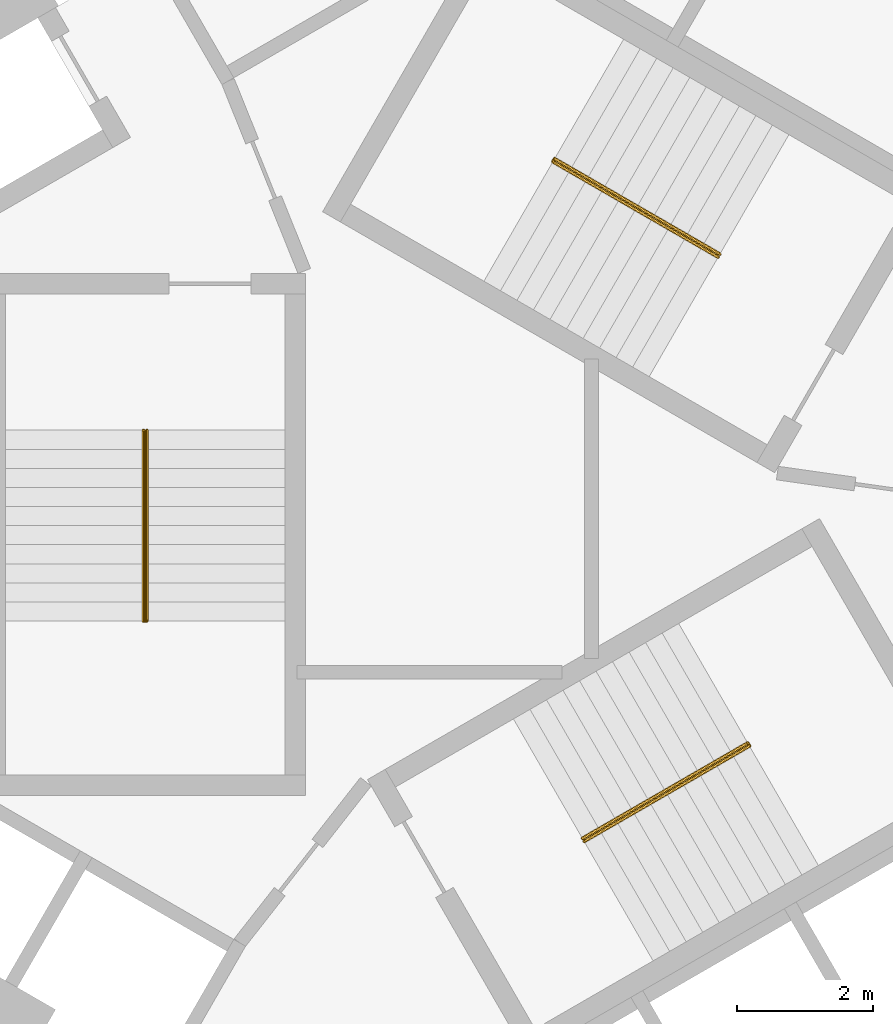
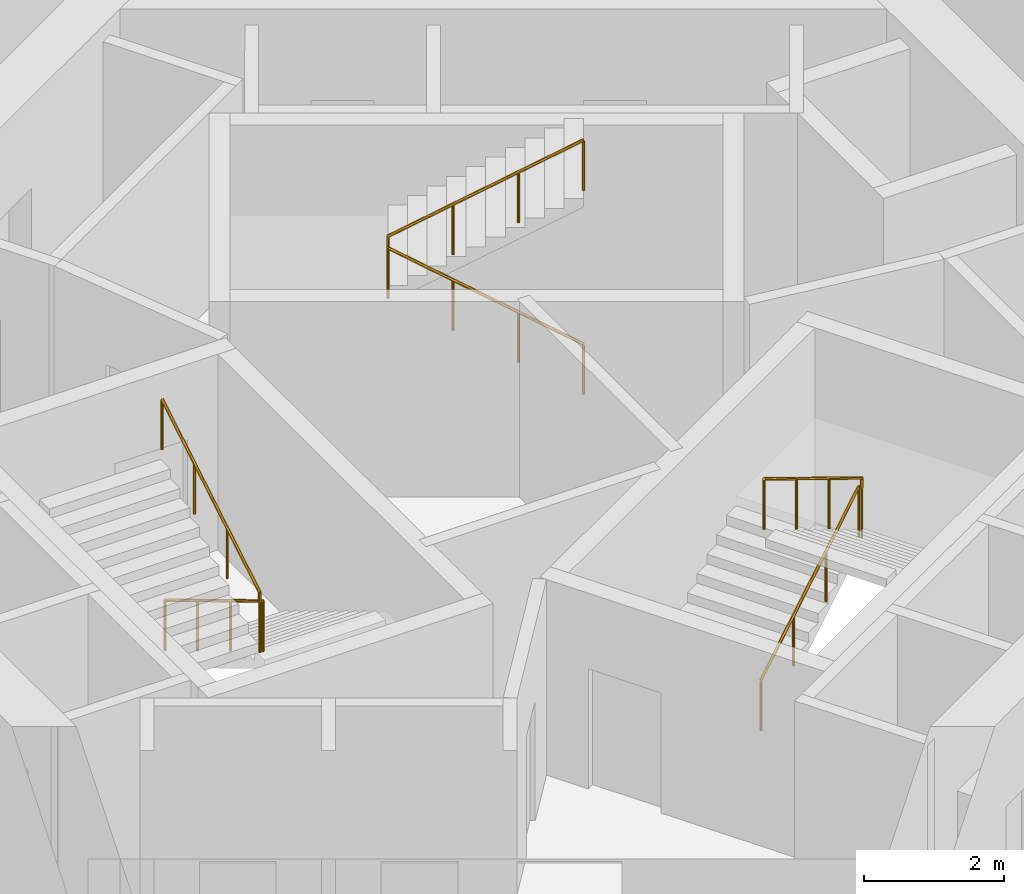
# One storey, part 11 of 11: 3 railings.
"""IFC4 building model written with IfcOpenShell, lengths in metres."""

import ifcopenshell
import ifcopenshell.guid

model = None  # the IFC model being written
_history = None  # IfcOwnerHistory: only IFC2X3 demands one
_inside = {}  # id of a spatial element -> (the spatial element, [elements in it])
_under = {}  # id of a project, library or spatial element -> (it, [spatial elements below it])
_declared = {}  # id of a project -> (the project, [libraries it declares])
_typed = {}  # id of a type object -> (the type object, [elements of that type])
_made_of = {}  # id of a material, layer set ... -> (it, [elements and type objects made of it])


def new_model(schema):
    """Start an empty IFC model of exactly this schema.

    Asked for "IFC4X3", IfcOpenShell would pick the latest addendum, in which some entities
    have other attributes; the version numbers below select the first issue.
    IFC2X3 requires an IfcOwnerHistory on every rooted entity: one is made here for all.
    """
    global model, _history
    if schema == "IFC4X3":
        model = ifcopenshell.file(schema_version=(4, 3, 0, 0))
    else:
        model = ifcopenshell.file(schema=schema)
    _inside.clear()
    _under.clear()
    _declared.clear()
    _typed.clear()
    _made_of.clear()
    _history = None
    if model.schema == "IFC2X3":
        org = make("IfcOrganization", Name="unknown")
        user = make(
            "IfcPersonAndOrganization",
            ThePerson=make("IfcPerson", FamilyName="unknown"),
            TheOrganization=org,
        )
        app = make(
            "IfcApplication",
            ApplicationDeveloper=org,
            Version="unknown",
            ApplicationFullName="unknown",
            ApplicationIdentifier="unknown",
        )
        _history = make(
            "IfcOwnerHistory",
            OwningUser=user,
            OwningApplication=app,
            ChangeAction="ADDED",
            CreationDate=0,
        )
    return model


def make(cls, **values):
    """One entity of the class cls with the attributes given. An attribute that is None is left unset."""
    return model.create_entity(
        cls, **{name: value for name, value in values.items() if value is not None}
    )


def rooted(cls, **values):
    """An entity with a GlobalId (a new one), such as an element, a storey or a relation."""
    return make(cls, GlobalId=ifcopenshell.guid.new(), OwnerHistory=_history, **values)


def si_unit(unit_type, name, prefix=None):
    """IfcSIUnit, for example si_unit("LENGTHUNIT", "METRE", prefix="MILLI")."""
    return make("IfcSIUnit", UnitType=unit_type, Prefix=prefix, Name=name)


def assignment(units):
    """IfcUnitAssignment: the units of a project."""
    return None if units is None else make("IfcUnitAssignment", Units=units)


def point(xyz):
    """IfcCartesianPoint."""
    return None if xyz is None else make("IfcCartesianPoint", Coordinates=xyz)


def direction(xyz):
    """IfcDirection."""
    return None if xyz is None else make("IfcDirection", DirectionRatios=xyz)


def frame(location, z_axis=None, x_axis=None):
    """IfcAxis2Placement3D, a coordinate frame: its origin and axes. An axis left out is left unset."""
    return make(
        "IfcAxis2Placement3D",
        Location=point(location),
        Axis=direction(z_axis),
        RefDirection=direction(x_axis),
    )


def frame_2d(location, x_axis=None):
    """IfcAxis2Placement2D, a coordinate frame in the plane: its origin and x axis."""
    return make(
        "IfcAxis2Placement2D", Location=point(location), RefDirection=direction(x_axis)
    )


def origin():
    """The frame at (0, 0, 0) with its axes left unset."""
    return frame((0.0, 0.0, 0.0))


def origin_2d():
    """The frame at (0, 0) in the plane with its x axis left unset."""
    return frame_2d((0.0, 0.0))


def place(relative_to, where):
    """IfcLocalPlacement: puts the frame where relative to a parent placement (None: the world)."""
    return make(
        "IfcLocalPlacement", PlacementRelTo=relative_to, RelativePlacement=where
    )


def context(
    kind, dimensions, precision=None, world=None, true_north=None, identifier=None
):
    """IfcGeometricRepresentationContext, for example the 3D "Model" context."""
    return make(
        "IfcGeometricRepresentationContext",
        ContextIdentifier=identifier,
        ContextType=kind,
        CoordinateSpaceDimension=dimensions,
        Precision=precision,
        WorldCoordinateSystem=world,
        TrueNorth=true_north,
    )


def subcontext(parent, identifier, kind, view, scale=None):
    """IfcGeometricRepresentationSubContext, for example "Body" below "Model"."""
    return make(
        "IfcGeometricRepresentationSubContext",
        ContextIdentifier=identifier,
        ContextType=kind,
        ParentContext=parent,
        TargetScale=scale,
        TargetView=view,
    )


def project(units=None, contexts=None):
    """IfcProject with its units and contexts."""
    return rooted(
        "IfcProject",
        Name="project",
        RepresentationContexts=contexts,
        UnitsInContext=assignment(units),
    )


def spatial(cls, under=None, at=None, **own):
    """A site, building, storey or space (cls), placed at a placement, below another one or the project."""
    s = rooted(cls, ObjectPlacement=at, **own)
    if under is not None:
        _under.setdefault(under.id(), (under, []))[1].append(s)
    return s


def profile(cls, at=None, kind="AREA", **sizes):
    """A parametric profile (cls). Its sizes go by their IFC names, for example OverallWidth=200.0."""
    return make(cls, ProfileType=kind, Position=at, **sizes)


def circle(**sizes):
    """IfcCircleProfileDef."""
    return profile("IfcCircleProfileDef", **sizes)


def extrude(swept, where, along, depth):
    """IfcExtrudedAreaSolid: the profile swept, set in the frame where, extruded along a direction by depth."""
    return make(
        "IfcExtrudedAreaSolid",
        SweptArea=swept,
        Position=where,
        ExtrudedDirection=direction(along),
        Depth=depth,
    )


def shape(context_of_items, identifier, shape_type, items):
    """IfcShapeRepresentation: the items that make up one representation, for example the "Body"."""
    return make(
        "IfcShapeRepresentation",
        ContextOfItems=context_of_items,
        RepresentationIdentifier=identifier,
        RepresentationType=shape_type,
        Items=items,
    )


def material(Name=None, Category=None):
    """IfcMaterial."""
    return make("IfcMaterial", Name=Name, Category=Category)


def made_of(thing, what):
    """Note that an element or type object is made of a material, layer set ...; save() writes the relation."""
    if what is not None:
        _made_of.setdefault(what.id(), (what, []))[1].append(thing)
    return thing


def type_object(cls, material=None, **own):
    """A type object (cls), such as IfcWallType, which elements share."""
    return made_of(rooted(cls, **own), material)


def element(
    cls,
    number,
    at=None,
    inside=None,
    cuts=None,
    type_object=None,
    material=None,
    context=None,
    identifier="Body",
    shape_type=None,
    held_by="IfcProductDefinitionShape",
    body=None,
    shapes=None,
    **own,
):
    """One element of the class cls, such as IfcWall. Its Tag is "e" and its number.

    at: its placement. inside: the storey or other place that contains it. cuts: it is an
    opening in that element (IfcRelVoidsElement). A single representation is given by context,
    identifier, shape_type and body (its items); several are given by shapes. held_by: the class
    of the entity that holds the representations. save() writes the other relations.
    """
    e = rooted(cls, Tag="e%d" % number, ObjectPlacement=at, **own)
    if body is not None:
        shapes = [shape(context, identifier, shape_type, body)]
    if shapes is not None:
        e.Representation = make(held_by, Representations=shapes)
    if inside is not None:
        _inside.setdefault(inside.id(), (inside, []))[1].append(e)
    if cuts is not None:
        rooted(
            "IfcRelVoidsElement", RelatingBuildingElement=cuts, RelatedOpeningElement=e
        )
    if type_object is not None:
        _typed.setdefault(type_object.id(), (type_object, []))[1].append(e)
    return made_of(e, material)


def aggregate(whole, parts):
    """IfcRelAggregates: a whole, such as a stair, and the parts it consists of."""
    return rooted("IfcRelAggregates", RelatingObject=whole, RelatedObjects=parts)


def save(model, path):
    """Write the relations noted so far, then the file.

    IfcRelAggregates (storeys below a building ...), IfcRelContainedInSpatialStructure (elements
    in a storey), IfcRelDefinesByType, IfcRelAssociatesMaterial and IfcRelDeclares: one each for
    every whole, place, type object, material and project.
    """
    for whole, parts in _under.values():
        aggregate(whole, parts)
    for where, things in _inside.values():
        rooted(
            "IfcRelContainedInSpatialStructure",
            RelatedElements=things,
            RelatingStructure=where,
        )
    for kind, things in _typed.values():
        rooted("IfcRelDefinesByType", RelatedObjects=things, RelatingType=kind)
    for what, things in _made_of.values():
        rooted("IfcRelAssociatesMaterial", RelatedObjects=things, RelatingMaterial=what)
    for by, libraries in _declared.values():
        rooted("IfcRelDeclares", RelatingContext=by, RelatedDefinitions=libraries)
    model.write(path)


model = new_model("IFC4")

# Units and contexts
model_context = context("Model", 3, precision=1e-05, world=origin(), true_north=direction((0.0, 1.0)))
body_context = subcontext(model_context, "Body", "Model", "MODEL_VIEW")
ifc_project = project(units=[si_unit("LENGTHUNIT", "METRE"), si_unit("AREAUNIT", "SQUARE_METRE"), si_unit("VOLUMEUNIT", "CUBIC_METRE"), si_unit("PLANEANGLEUNIT", "RADIAN"), si_unit("MASSUNIT", "GRAM", prefix="KILO")], contexts=[model_context])

# Site, building, storey
site_placement = place(None, origin())
site = spatial("IfcSite", under=ifc_project, at=site_placement, CompositionType="ELEMENT")
building_placement = place(site_placement, origin())
building = spatial("IfcBuilding", under=site, at=building_placement, Name="Vanh Sen Convention Tower", CompositionType="ELEMENT")
storey_placement = place(building_placement, frame((0.0, 0.0, 225.39990234375)))
storey = spatial("IfcBuildingStorey", under=building, at=storey_placement, Name="L55", CompositionType="ELEMENT", Elevation=225.39990234375)

# Railings
ifc_material = material(Name="Stainless steel handrail", Category="steel")
railing_type = type_object("IfcRailingType", Name="Stair handrail 900", PredefinedType="HANDRAIL", material=ifc_material)
railing_1_placement = place(storey_placement, frame((3.45849609375, 3.690185546875, 0.168212890625)))
element("IfcRailing", 1, at=railing_1_placement, inside=storey, type_object=railing_type, Name="Stair handrail ST1 L55", PredefinedType="HANDRAIL", context=body_context, shape_type="SweptSolid", body=[
    extrude(circle(Radius=0.02392578125, at=origin_2d()), frame((0.0, 0.0, 0.8759765625), z_axis=(-0.742390482028, 0.42860119049, 0.514934356695), x_axis=(-0.49998411664, -0.866034573852, 0.0)), (0.0, 0.0, 1.0), 3.26611328125),
    extrude(circle(Radius=0.02392578125, at=origin_2d()), frame((-2.4248046875, 1.39990234375, 2.5576171875), z_axis=(0.497188445666, 0.867642581652, 0.0), x_axis=(-0.867642581652, 0.497188445666, 0.0)), (0.0, 0.0, 1.0), 0.050048828125),
    extrude(circle(Radius=0.02392578125, at=origin_2d()), frame((-2.39990234375, 1.443359375, 2.5576171875), z_axis=(0.0, 0.0, 1.0), x_axis=(1.0, 0.0, 0.0)), (0.0, 0.0, 1.0), 0.168212890625),
    extrude(circle(Radius=0.02392578125, at=origin_2d()), frame((-2.39990234375, 1.443359375, 2.72607421875), z_axis=(0.742366697286, -0.42866220388, 0.514917859203), x_axis=(0.500049511043, 0.865996816683, 0.0)), (0.0, 0.0, 1.0), 3.266357421875),
    extrude(circle(Radius=0.02099609375, at=origin_2d()), origin(), (0.0, 0.0, 1.0), 0.851806640625),
    extrude(circle(Radius=0.02099609375, at=origin_2d()), frame((-0.808349609375, 0.466552734375, 0.560546875)), (0.0, 0.0, 1.0), 0.851806640625),
    extrude(circle(Radius=0.02099609375, at=origin_2d()), frame((-1.616455078125, 0.933349609375, 1.121337890625)), (0.0, 0.0, 1.0), 0.851806640625),
    extrude(circle(Radius=0.02099609375, at=origin_2d()), frame((-2.4248046875, 1.39990234375, 1.681884765625)), (0.0, 0.0, 1.0), 0.851806640625),
    extrude(circle(Radius=0.02099609375, at=origin_2d()), frame((-2.39990234375, 1.443359375, 1.681884765625)), (0.0, 0.0, 1.0), 0.851806640625),
    extrude(circle(Radius=0.02099609375, at=origin_2d()), frame((-2.39990234375, 1.443359375, 1.85009765625)), (0.0, 0.0, 1.0), 0.851806640625),
    extrude(circle(Radius=0.02099609375, at=origin_2d()), frame((-1.591552734375, 0.9765625, 2.41064453125)), (0.0, 0.0, 1.0), 0.851806640625),
    extrude(circle(Radius=0.02099609375, at=origin_2d()), frame((-0.783447265625, 0.510009765625, 2.971435546875)), (0.0, 0.0, 1.0), 0.851806640625),
    extrude(circle(Radius=0.02099609375, at=origin_2d()), frame((0.02490234375, 0.043212890625, 3.531982421875)), (0.0, 0.0, 1.0), 0.851806640625),
])
railing_2_placement = place(storey_placement, frame((-4.925048828125, 1.14990234375, 0.168212890625)))
element("IfcRailing", 2, at=railing_2_placement, inside=storey, type_object=railing_type, Name="Stair handrail ST2 L55", PredefinedType="HANDRAIL", context=body_context, shape_type="SweptSolid", body=[
    extrude(circle(Radius=0.02392578125, at=origin_2d()), frame((0.0, 0.0, 0.8759765625), z_axis=(0.0, -0.857222391501, 0.514946377315), x_axis=(1.0, 0.0, 0.0)), (0.0, 0.0, 1.0), 3.26611328125),
    extrude(circle(Radius=0.02392578125, at=origin_2d()), frame((0.0, -2.7998046875, 2.5576171875), z_axis=(-1.0, 0.0, 0.0), x_axis=(0.0, -1.0, 0.0)), (0.0, 0.0, 1.0), 0.050048828125),
    extrude(circle(Radius=0.02392578125, at=origin_2d()), frame((-0.050048828125, -2.7998046875, 2.5576171875), z_axis=(0.0, 0.0, 1.0), x_axis=(1.0, 0.0, 0.0)), (0.0, 0.0, 1.0), 0.168212890625),
    extrude(circle(Radius=0.02392578125, at=origin_2d()), frame((-0.050048828125, -2.7998046875, 2.72607421875), z_axis=(0.0, 0.857222391501, 0.514946377315), x_axis=(-1.0, 0.0, 0.0)), (0.0, 0.0, 1.0), 3.26611328125),
    extrude(circle(Radius=0.02099609375, at=origin_2d()), origin(), (0.0, 0.0, 1.0), 0.851806640625),
    extrude(circle(Radius=0.02099609375, at=origin_2d()), frame((0.0, -0.933349609375, 0.560546875)), (0.0, 0.0, 1.0), 0.851806640625),
    extrude(circle(Radius=0.02099609375, at=origin_2d()), frame((0.0, -1.866455078125, 1.121337890625)), (0.0, 0.0, 1.0), 0.851806640625),
    extrude(circle(Radius=0.02099609375, at=origin_2d()), frame((0.0, -2.7998046875, 1.681884765625)), (0.0, 0.0, 1.0), 0.851806640625),
    extrude(circle(Radius=0.02099609375, at=origin_2d()), frame((-0.050048828125, -2.7998046875, 1.681884765625)), (0.0, 0.0, 1.0), 0.851806640625),
    extrude(circle(Radius=0.02099609375, at=origin_2d()), frame((-0.050048828125, -2.7998046875, 1.85009765625)), (0.0, 0.0, 1.0), 0.851806640625),
    extrude(circle(Radius=0.02099609375, at=origin_2d()), frame((-0.050048828125, -1.866455078125, 2.41064453125)), (0.0, 0.0, 1.0), 0.851806640625),
    extrude(circle(Radius=0.02099609375, at=origin_2d()), frame((-0.050048828125, -0.933349609375, 2.971435546875)), (0.0, 0.0, 1.0), 0.851806640625),
    extrude(circle(Radius=0.02099609375, at=origin_2d()), frame((-0.050048828125, 0.0, 3.531982421875)), (0.0, 0.0, 1.0), 0.851806640625),
])
railing_3_placement = place(storey_placement, frame((1.466552734375, -4.840087890625, 0.168212890625)))
element("IfcRailing", 3, at=railing_3_placement, inside=storey, type_object=railing_type, Name="Stair handrail ST3 L55", PredefinedType="HANDRAIL", context=body_context, shape_type="SweptSolid", body=[
    extrude(circle(Radius=0.02392578125, at=origin_2d()), frame((0.0, 0.0, 0.8759765625), z_axis=(0.742390482028, 0.42860119049, 0.514934356695), x_axis=(-0.49998411664, 0.866034573852, 0.0)), (0.0, 0.0, 1.0), 3.26611328125),
    extrude(circle(Radius=0.02392578125, at=origin_2d()), frame((2.4248046875, 1.39990234375, 2.5576171875), z_axis=(0.502959906984, -0.86430974307, 0.0), x_axis=(0.86430974307, 0.502959906984, 0.0)), (0.0, 0.0, 1.0), 0.050048828125),
    extrude(circle(Radius=0.02392578125, at=origin_2d()), frame((2.449951171875, 1.356689453125, 2.5576171875), z_axis=(0.0, 0.0, 1.0), x_axis=(1.0, 0.0, 0.0)), (0.0, 0.0, 1.0), 0.168212890625),
    extrude(circle(Radius=0.02392578125, at=origin_2d()), frame((2.449951171875, 1.356689453125, 2.72607421875), z_axis=(-0.742366697286, -0.42866220388, 0.514917859203), x_axis=(0.500049511043, -0.865996816683, 0.0)), (0.0, 0.0, 1.0), 3.266357421875),
    extrude(circle(Radius=0.02099609375, at=origin_2d()), origin(), (0.0, 0.0, 1.0), 0.851806640625),
    extrude(circle(Radius=0.02099609375, at=origin_2d()), frame((0.808349609375, 0.466552734375, 0.560546875)), (0.0, 0.0, 1.0), 0.851806640625),
    extrude(circle(Radius=0.02099609375, at=origin_2d()), frame((1.616455078125, 0.933349609375, 1.121337890625)), (0.0, 0.0, 1.0), 0.851806640625),
    extrude(circle(Radius=0.02099609375, at=origin_2d()), frame((2.4248046875, 1.39990234375, 1.681884765625)), (0.0, 0.0, 1.0), 0.851806640625),
    extrude(circle(Radius=0.02099609375, at=origin_2d()), frame((2.449951171875, 1.356689453125, 1.681884765625)), (0.0, 0.0, 1.0), 0.851806640625),
    extrude(circle(Radius=0.02099609375, at=origin_2d()), frame((2.449951171875, 1.356689453125, 1.85009765625)), (0.0, 0.0, 1.0), 0.851806640625),
    extrude(circle(Radius=0.02099609375, at=origin_2d()), frame((1.6416015625, 0.889892578125, 2.41064453125)), (0.0, 0.0, 1.0), 0.851806640625),
    extrude(circle(Radius=0.02099609375, at=origin_2d()), frame((0.83349609375, 0.42333984375, 2.971435546875)), (0.0, 0.0, 1.0), 0.851806640625),
    extrude(circle(Radius=0.02099609375, at=origin_2d()), frame((0.025146484375, -0.04345703125, 3.531982421875)), (0.0, 0.0, 1.0), 0.851806640625),
])

save(model, "model.ifc")
